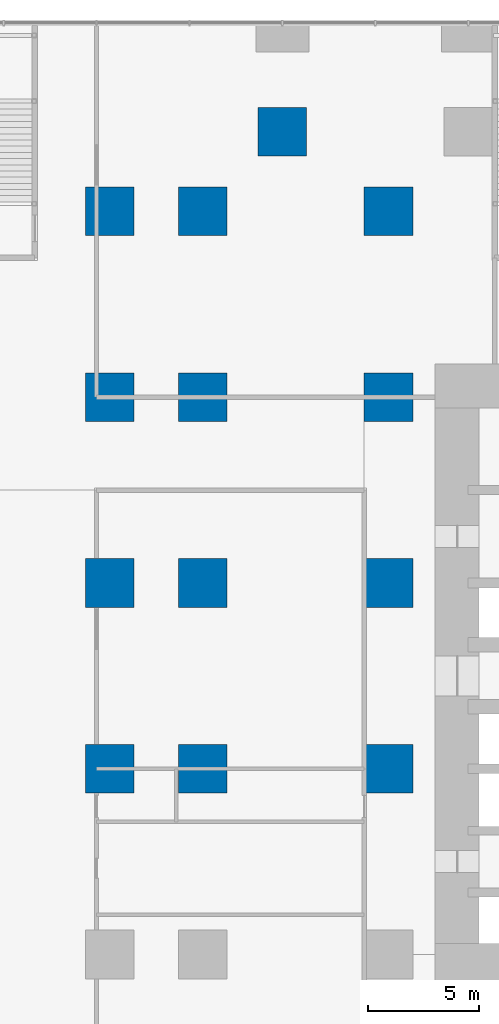
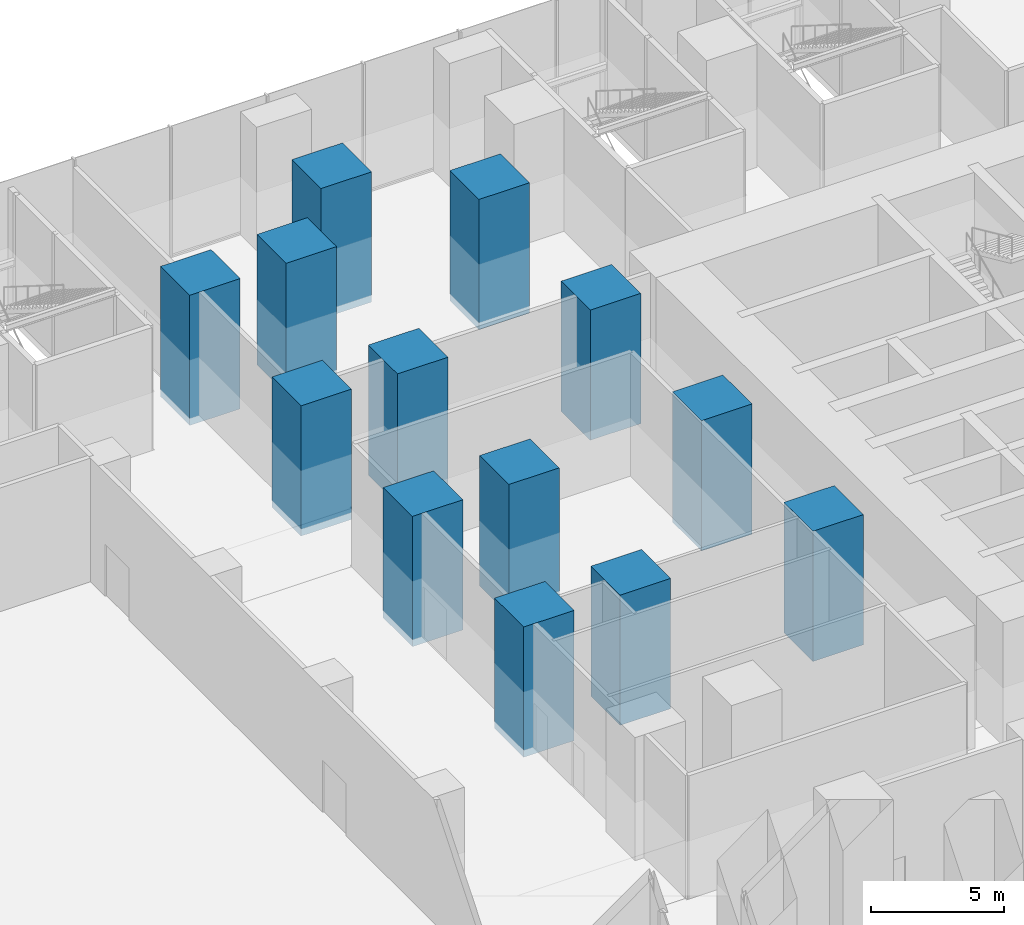
# One storey, part 7 of 32: 13 columns.
"""IFC4 building model written with IfcOpenShell, lengths in metres."""

from ifc_helpers import new_model, si_unit, direction, frame, origin, origin_2d, place, context, subcontext, project, spatial, rectangle, extrude, material, material_profile, profile_set, type_object, element, save


model = new_model("IFC4")

# Units and contexts
model_context = context("Model", 3, precision=1e-05, world=origin(), true_north=direction((0.0, 1.0)))
body_context = subcontext(model_context, "Body", "Model", "MODEL_VIEW")
ifc_project = project(units=[si_unit("LENGTHUNIT", "METRE"), si_unit("AREAUNIT", "SQUARE_METRE"), si_unit("VOLUMEUNIT", "CUBIC_METRE"), si_unit("PLANEANGLEUNIT", "RADIAN"), si_unit("MASSUNIT", "GRAM", prefix="KILO")], contexts=[model_context])

# Site, building, storey
site_placement = place(None, origin())
site = spatial("IfcSite", under=ifc_project, at=site_placement, CompositionType="ELEMENT")
building_placement = place(site_placement, origin())
building = spatial("IfcBuilding", under=site, at=building_placement, Name="Dunama Terrace Hotel", CompositionType="ELEMENT")
storey_placement = place(building_placement, frame((0.0, 0.0, 6.0)))
storey = spatial("IfcBuildingStorey", under=building, at=storey_placement, Name="L01", CompositionType="ELEMENT", Elevation=6.0)

# Columns
ifc_material = material(Name="Concrete C60/75", Category="concrete")
ifc_material_profile = material_profile(ifc_material, rectangle(XDim=2.199951171875, YDim=2.199951171875, at=origin_2d()), Name="RC 2200x2200")
ifc_profile_set = profile_set([ifc_material_profile], Name="Concrete C60/75")
column_type = type_object("IfcColumnType", Name="Column RC 2200x2200", PredefinedType="COLUMN", material=ifc_profile_set)
for number, where, z_axis, x_axis, name in (
    (1, (0.60009765625, 25.199951171875, -0.300048828125), (0.0, 0.0, 1.0), (1.0, 0.0, 0.0), "Column L01 +0.6/+25.2"),
    (2, (0.60009765625, 33.60009765625, -0.300048828125), (0.0, 0.0, 1.0), (1.0, 0.0, 0.0), "Column L01 +0.6/+33.6"),
    (3, (0.60009765625, 42.0, -0.300048828125), (0.0, 0.0, 1.0), (1.0, 0.0, 0.0), "Column L01 +0.6/+42.0"),
    (4, (0.60009765625, 50.39990234375, -0.300048828125), (0.0, 0.0, 1.0), (1.0, 0.0, 0.0), "Column L01 +0.6/+50.4"),
    (5, (4.800048828125, 25.199951171875, -0.300048828125), (0.0, 0.0, 1.0), (1.0, 0.0, 0.0), "Column L01 +4.8/+25.2"),
    (6, (4.800048828125, 33.60009765625, -0.300048828125), (0.0, 0.0, 1.0), (1.0, 0.0, 0.0), "Column L01 +4.8/+33.6"),
    (7, (4.800048828125, 42.0, -0.300048828125), (0.0, 0.0, 1.0), (1.0, 0.0, 0.0), "Column L01 +4.8/+42.0"),
    (8, (4.800048828125, 50.39990234375, -0.300048828125), (0.0, 0.0, 1.0), (1.0, 0.0, 0.0), "Column L01 +4.8/+50.4"),
    (9, (8.39990234375, 54.0, -0.300048828125), (0.0, 0.0, 1.0), (1.0, 0.0, 0.0), "Column L01 +8.4/+54.0"),
    (10, (13.199951171875, 25.199951171875, -0.300048828125), (0.0, 0.0, 1.0), (1.0, 0.0, 0.0), "Column L01 +13.2/+25.2"),
    (11, (13.199951171875, 33.60009765625, -0.300048828125), (0.0, 0.0, 1.0), (1.0, 0.0, 0.0), "Column L01 +13.2/+33.6"),
    (12, (13.199951171875, 42.0, -0.300048828125), (0.0, 0.0, 1.0), (1.0, 0.0, 0.0), "Column L01 +13.2/+42.0"),
    (13, (13.199951171875, 50.39990234375, -0.300048828125), (0.0, 0.0, 1.0), (1.0, 0.0, 0.0), "Column L01 +13.2/+50.4"),
):
    element("IfcColumn", number, at=place(storey_placement, frame(where, z_axis=z_axis, x_axis=x_axis)), inside=storey, type_object=column_type, Name=name, PredefinedType="COLUMN", context=body_context, shape_type="SweptSolid", body=[
        extrude(rectangle(XDim=2.199951171875, YDim=2.199951171875, at=origin_2d()), origin(), (0.0, 0.0, 1.0), 6.0),
    ])

save(model, "model.ifc")
